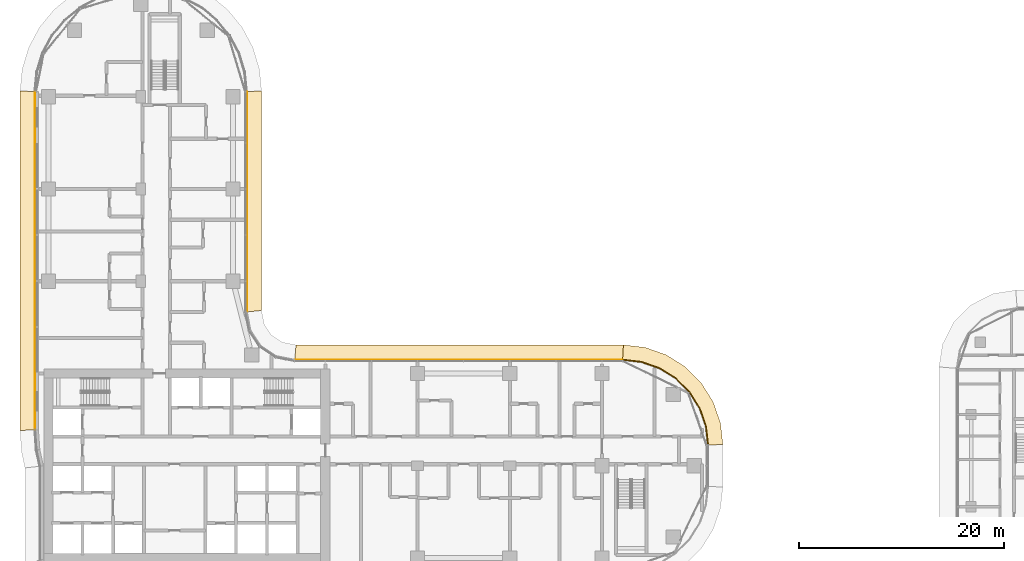
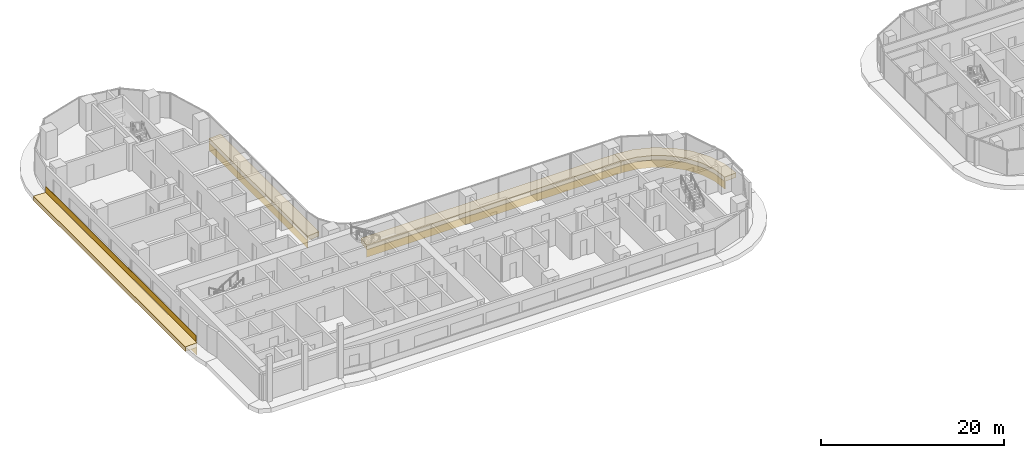
# One storey, part 35 of 39: 9 coverings.
"""IFC4 building model written with IfcOpenShell, lengths in metres."""

from ifc_helpers import new_model, si_unit, direction, frame, origin, origin_2d, place, context, subcontext, project, spatial, polyline, rectangle, outline, extrude, material, layer, layer_set, type_object, element, save


model = new_model("IFC4")

# Units and contexts
model_context = context("Model", 3, precision=1e-05, world=origin(), true_north=direction((0.0, 1.0)))
body_context = subcontext(model_context, "Body", "Model", "MODEL_VIEW")
ifc_project = project(units=[si_unit("LENGTHUNIT", "METRE"), si_unit("AREAUNIT", "SQUARE_METRE"), si_unit("VOLUMEUNIT", "CUBIC_METRE"), si_unit("PLANEANGLEUNIT", "RADIAN"), si_unit("MASSUNIT", "GRAM", prefix="KILO")], contexts=[model_context])

# Site, building, storey
site_placement = place(None, origin())
site = spatial("IfcSite", under=ifc_project, at=site_placement, CompositionType="ELEMENT")
building_placement = place(site_placement, origin())
building = spatial("IfcBuilding", under=site, at=building_placement, Name="Ogive Portal Towers", CompositionType="ELEMENT")
storey_placement = place(building_placement, frame((0.0, 0.0, 44.60009765625)))
storey = spatial("IfcBuildingStorey", under=building, at=storey_placement, Name="L09", CompositionType="ELEMENT", Elevation=44.60009765625)

# Coverings
ifc_material = material(Name="Limestone cladding on lightweight block wall", Category="masonry")
ifc_layer_1 = layer(ifc_material, 0.050048828125)
ifc_layer_set_1 = layer_set([ifc_layer_1], Name="SCREEN PERFORATED STONE")
covering_type_1 = type_object("IfcCoveringType", Name="SCREEN PERFORATED STONE", PredefinedType="CLADDING", material=ifc_layer_set_1)
covering_1_placement = place(storey_placement, frame((30.18994140625, 50.50146484375, 0.10009765625), z_axis=(0.0, 0.0, 1.0), x_axis=(0.0, -1.0, 0.0)))
element("IfcCovering", 1, at=covering_1_placement, inside=storey, type_object=covering_type_1, Name="Tracery screen", PredefinedType="CLADDING", context=body_context, shape_type="SweptSolid", body=[
    extrude(rectangle(XDim=32.781494140625, YDim=0.050048828125, at=origin_2d()), origin(), (0.0, 0.0, 1.0), 0.800048828125),
])
ifc_layer_2 = layer(ifc_material, 0.080078125)
ifc_layer_set_2 = layer_set([ifc_layer_2], Name="STONE SPANDREL 80")
covering_type_2 = type_object("IfcCoveringType", Name="STONE SPANDREL 80", PredefinedType="CLADDING", material=ifc_layer_set_2)
covering_2_placement = place(storey_placement, frame((0.0, 0.0, -1.60009765625)))
element("IfcCovering", 2, at=covering_2_placement, inside=storey, type_object=covering_type_2, Name="Stone spandrel A1-F08", PredefinedType="CLADDING", context=body_context, shape_type="SweptSolid", body=[
    extrude(outline(polyline([(95.784912109375, 32.5), (95.577392578125, 34.343505859375), (94.964599609375, 36.0947265625), (93.9775390625, 37.66552734375), (92.66552734375, 38.9775390625), (91.0947265625, 39.964599609375), (89.343505859375, 40.577392578125), (87.5, 40.784912109375), (87.50439453125, 40.864990234375), (89.361572265625, 40.65576171875), (91.129638671875, 40.037109375), (92.7158203125, 39.04052734375), (94.04052734375, 37.7158203125), (95.037109375, 36.129638671875), (95.65576171875, 34.361572265625), (95.864990234375, 32.50439453125), (95.784912109375, 32.5)])), origin(), (0.0, 0.0, 1.0), 1.0),
])
covering_3_placement = place(storey_placement, frame((0.0, 0.0, -1.60009765625)))
element("IfcCovering", 3, at=covering_3_placement, inside=storey, type_object=covering_type_2, Name="Stone spandrel A1-F09", PredefinedType="CLADDING", context=body_context, shape_type="SweptSolid", body=[
    extrude(outline(polyline([(87.5, 40.784912109375), (55.5, 40.784912109375), (55.5078125, 40.864990234375), (87.50439453125, 40.864990234375), (87.5, 40.784912109375)])), origin(), (0.0, 0.0, 1.0), 1.0),
])
covering_4_placement = place(storey_placement, frame((0.0, 0.0, -1.60009765625)))
element("IfcCovering", 4, at=covering_4_placement, inside=storey, type_object=covering_type_2, Name="Stone spandrel A1-F11", PredefinedType="CLADDING", context=body_context, shape_type="SweptSolid", body=[
    extrude(outline(polyline([(50.784912109375, 45.5), (50.784912109375, 67.0), (50.864990234375, 67.00390625), (50.864990234375, 45.5078125), (50.784912109375, 45.5)])), origin(), (0.0, 0.0, 1.0), 1.0),
])
covering_5_placement = place(storey_placement, frame((0.0, 0.0, -1.60009765625)))
element("IfcCovering", 5, at=covering_5_placement, inside=storey, type_object=covering_type_2, Name="Stone spandrel A1-F13", PredefinedType="CLADDING", context=body_context, shape_type="SweptSolid", body=[
    extrude(outline(polyline([(30.215087890625, 67.0), (30.215087890625, 34.0), (30.135009765625, 33.9970703125), (30.135009765625, 67.00390625), (30.215087890625, 67.0)])), origin(), (0.0, 0.0, 1.0), 1.0),
])
ifc_layer_3 = layer(ifc_material, 0.60009765625)
ifc_layer_set_3 = layer_set([ifc_layer_3], Name="SUNSHADE LIP 600")
covering_type_3 = type_object("IfcCoveringType", Name="SUNSHADE LIP 600", PredefinedType="CLADDING", material=ifc_layer_set_3)
covering_6_placement = place(storey_placement, frame((0.0, 0.0, -0.60009765625)))
element("IfcCovering", 6, at=covering_6_placement, inside=storey, type_object=covering_type_3, Name="Sunshade lip A1-F08", PredefinedType="CLADDING", context=body_context, shape_type="SweptSolid", body=[
    extrude(outline(polyline([(95.784912109375, 32.5), (95.577392578125, 34.343505859375), (94.964599609375, 36.0947265625), (93.9775390625, 37.66552734375), (92.66552734375, 38.9775390625), (91.0947265625, 39.964599609375), (89.343505859375, 40.577392578125), (87.5, 40.784912109375), (87.584228515625, 42.284912109375), (89.679443359375, 42.048828125), (91.749755859375, 41.324462890625), (93.606689453125, 40.15771484375), (95.15771484375, 38.606689453125), (96.324462890625, 36.749755859375), (97.048828125, 34.679443359375), (97.284912109375, 32.584228515625), (95.784912109375, 32.5)])), origin(), (0.0, 0.0, 1.0), 0.60009765625),
])
covering_7_placement = place(storey_placement, frame((0.0, 0.0, -0.60009765625)))
element("IfcCovering", 7, at=covering_7_placement, inside=storey, type_object=covering_type_3, Name="Sunshade lip A1-F09", PredefinedType="CLADDING", context=body_context, shape_type="SweptSolid", body=[
    extrude(outline(polyline([(87.5, 40.784912109375), (55.5, 40.784912109375), (55.647705078125, 42.284912109375), (87.584228515625, 42.284912109375), (87.5, 40.784912109375)])), origin(), (0.0, 0.0, 1.0), 0.60009765625),
])
covering_8_placement = place(storey_placement, frame((0.0, 0.0, -0.60009765625)))
element("IfcCovering", 8, at=covering_8_placement, inside=storey, type_object=covering_type_3, Name="Sunshade lip A1-F11", PredefinedType="CLADDING", context=body_context, shape_type="SweptSolid", body=[
    extrude(outline(polyline([(50.784912109375, 45.5), (50.784912109375, 67.0), (52.284912109375, 67.07373046875), (52.284912109375, 45.647705078125), (50.784912109375, 45.5)])), origin(), (0.0, 0.0, 1.0), 0.60009765625),
])
covering_9_placement = place(storey_placement, frame((0.0, 0.0, -0.60009765625)))
element("IfcCovering", 9, at=covering_9_placement, inside=storey, type_object=covering_type_3, Name="Sunshade lip A1-F13", PredefinedType="CLADDING", context=body_context, shape_type="SweptSolid", body=[
    extrude(outline(polyline([(30.215087890625, 67.0), (30.215087890625, 34.0), (28.715087890625, 33.946533203125), (28.715087890625, 67.07373046875), (30.215087890625, 67.0)])), origin(), (0.0, 0.0, 1.0), 0.60009765625),
])

save(model, "model.ifc")
